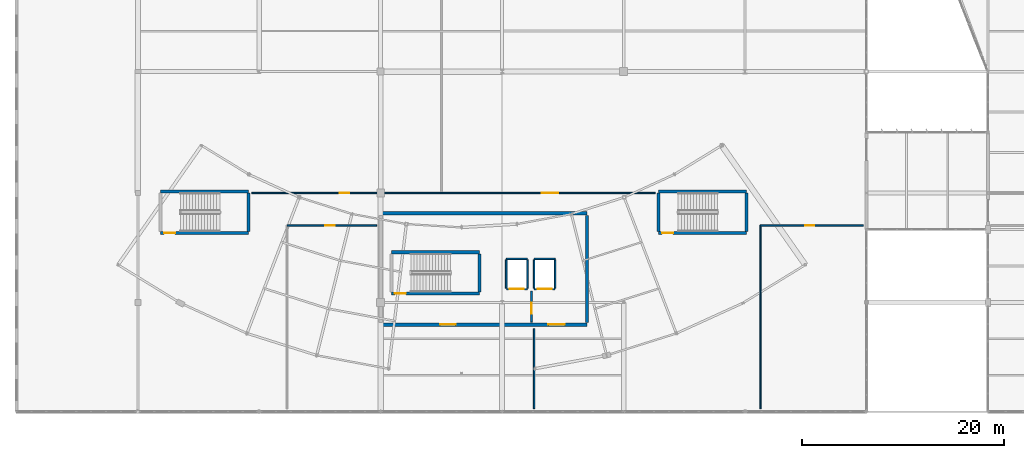
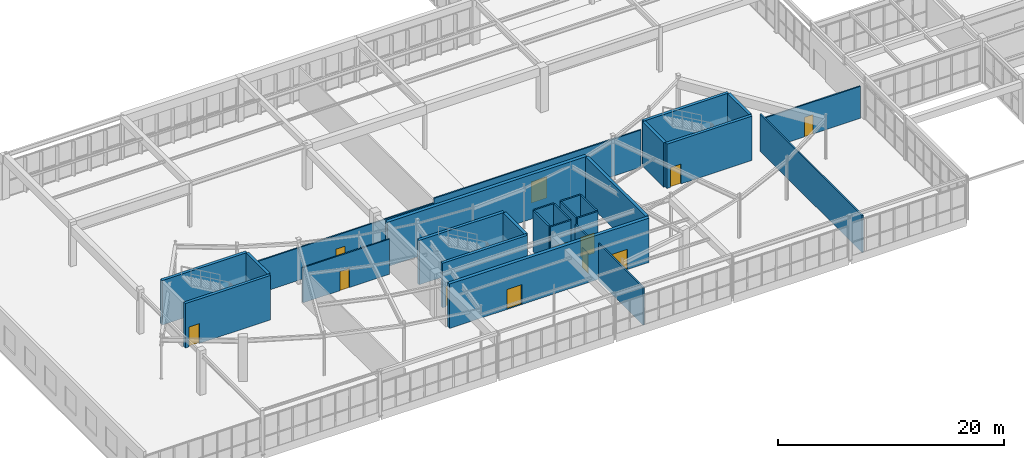
# One storey, part 156 of 186: 28 walls, 12 doors, 12 openings.
"""IFC4 building model written with IfcOpenShell, lengths in metres."""

from ifc_helpers import new_model, si_unit, direction, frame, frame_2d, origin, place, context, subcontext, project, spatial, rectangle, extrude, material, layer, layer_set, type_object, element, fill, save


model = new_model("IFC4")

# Units and contexts
model_context = context("Model", 3, precision=1e-05, world=origin(), true_north=direction((0.0, 1.0)))
body_context = subcontext(model_context, "Body", "Model", "MODEL_VIEW")
ifc_project = project(units=[si_unit("LENGTHUNIT", "METRE"), si_unit("AREAUNIT", "SQUARE_METRE"), si_unit("VOLUMEUNIT", "CUBIC_METRE"), si_unit("PLANEANGLEUNIT", "RADIAN"), si_unit("MASSUNIT", "GRAM", prefix="KILO")], contexts=[model_context])

# Site, building, storey
site_placement = place(None, origin())
site = spatial("IfcSite", under=ifc_project, at=site_placement, CompositionType="ELEMENT")
building_placement = place(site_placement, origin())
building = spatial("IfcBuilding", under=site, at=building_placement, Name="Tarnwether General Hospital", CompositionType="ELEMENT")
storey_placement = place(building_placement, frame((0.0, 0.0, 9.60009765625)))
storey = spatial("IfcBuildingStorey", under=building, at=storey_placement, Name="L02", CompositionType="ELEMENT", Elevation=9.60009765625)

# Wall, opening, door
ifc_material_1 = material(Name="Gypsum plasterboard")
ifc_layer_1 = layer(ifc_material_1, 0.139892578125)
ifc_layer_set_1 = layer_set([ifc_layer_1], Name="Gypsum plasterboard")
wall_type_1 = type_object("IfcWallType", Name="WL-PT140", PredefinedType="PARTITIONING", material=ifc_layer_set_1)
wall_1_placement = place(storey_placement, frame((74.743896484375, 18.39990234375, 0.0), z_axis=(0.0, 0.0, 1.0), x_axis=(1.0, 0.0, 0.0)))
wall_1 = element("IfcWall", 1, at=wall_1_placement, inside=storey, type_object=wall_type_1, Name="Interior Partition PT-L02-0271", PredefinedType="PARTITIONING", context=body_context, shape_type="SweptSolid", body=[
    extrude(rectangle(XDim=8.856201171875, YDim=0.139892578125, at=frame_2d((4.42822265625, 0.0))), origin(), (0.0, 0.0, 1.0), 3.802978515625),
])
opening_1_placement = place(wall_1_placement, frame((3.778076171875, 0.0, 0.0)))
opening_1 = element("IfcOpeningElement", 2, at=opening_1_placement, cuts=wall_1, Name="Opening D-10", PredefinedType="OPENING", context=body_context, shape_type="SweptSolid", body=[
    extrude(rectangle(XDim=0.9599609375, YDim=2.06005859375, at=frame_2d((0.47998046875, 1.030029296875))), frame((0.0, 0.080078125, 0.0), z_axis=(0.0, -1.0, 0.0), x_axis=(1.0, 0.0, 0.0)), (0.0, 0.0, 1.0), 0.159912109375),
])
ifc_material_2 = material(Name="Anodised aluminium", Category="aluminium")
door_type_1 = type_object("IfcDoorType", Name="DR-IN10", OperationType="NOTDEFINED", PredefinedType="DOOR", material=ifc_material_2)
door_1_placement = place(opening_1_placement, origin())
door_1 = element("IfcDoor", 3, at=door_1_placement, inside=storey, type_object=door_type_1, Name="Interior Door DR-L02-0150", OperationType="SINGLE_SWING_RIGHT", OverallHeight=2.06005859375, OverallWidth=0.9599609375, PredefinedType="DOOR", context=body_context, shape_type="SweptSolid", body=[
    extrude(rectangle(XDim=0.9599609375, YDim=2.06005859375, at=frame_2d((0.47998046875, 1.030029296875))), frame((0.0, 0.02490234375, 0.0), z_axis=(0.0, -1.0, 0.0), x_axis=(1.0, 0.0, 0.0)), (0.0, 0.0, 1.0), 0.050048828125),
])
fill(opening_1, door_1)

# Walls
wall_2_placement = place(storey_placement, frame((99.154052734375, 0.300048828125, 0.0), z_axis=(0.0, 0.0, 1.0), x_axis=(0.0, 1.0, 0.0)))
element("IfcWall", 4, at=wall_2_placement, inside=storey, type_object=wall_type_1, Name="Interior Partition PT-L02-0272", PredefinedType="PARTITIONING", context=body_context, shape_type="SweptSolid", body=[
    extrude(rectangle(XDim=7.89990234375, YDim=0.139892578125, at=frame_2d((3.949951171875, 0.0))), origin(), (0.0, 0.0, 1.0), 4.06494140625),
])
wall_3_placement = place(storey_placement, frame((121.529052734375, 0.300048828125, 0.0), z_axis=(0.0, 0.0, 1.0), x_axis=(0.0, 1.0, 0.0)))
element("IfcWall", 5, at=wall_3_placement, inside=storey, type_object=wall_type_1, Name="Interior Partition PT-L02-0273", PredefinedType="PARTITIONING", context=body_context, shape_type="SweptSolid", body=[
    extrude(rectangle(XDim=18.099853515625, YDim=0.139892578125, at=frame_2d((9.0498046875, 0.0))), origin(), (0.0, 0.0, 1.0), 4.011962890625),
])

# Wall, opening, door
wall_4_placement = place(storey_placement, frame((121.529052734375, 18.39990234375, 0.0), z_axis=(0.0, 0.0, 1.0), x_axis=(1.0, 0.0, 0.0)))
wall_4 = element("IfcWall", 6, at=wall_4_placement, inside=storey, type_object=wall_type_1, Name="Interior Partition PT-L02-0274", PredefinedType="PARTITIONING", context=body_context, shape_type="SweptSolid", body=[
    extrude(rectangle(XDim=10.1708984375, YDim=0.139892578125, at=frame_2d((5.08544921875, 0.0))), origin(), (0.0, 0.0, 1.0), 3.46484375),
])
opening_2_placement = place(wall_4_placement, frame((4.43505859375, 0.0, 0.0)))
opening_2 = element("IfcOpeningElement", 7, at=opening_2_placement, cuts=wall_4, Name="Opening D-11", PredefinedType="OPENING", context=body_context, shape_type="SweptSolid", body=[
    extrude(rectangle(XDim=0.89990234375, YDim=2.10009765625, at=frame_2d((0.449951171875, 1.050048828125))), frame((0.0, 0.080078125, 0.0), z_axis=(0.0, -1.0, 0.0), x_axis=(1.0, 0.0, 0.0)), (0.0, 0.0, 1.0), 0.159912109375),
])
ifc_material_3 = material(Name="Anodised aluminium", Category="aluminium")
door_type_2 = type_object("IfcDoorType", Name="DR-IN11", OperationType="NOTDEFINED", PredefinedType="DOOR", material=ifc_material_3)
door_2_placement = place(opening_2_placement, origin())
door_2 = element("IfcDoor", 8, at=door_2_placement, inside=storey, type_object=door_type_2, Name="Interior Door DR-L02-0151", OperationType="SINGLE_SWING_LEFT", OverallHeight=2.10009765625, OverallWidth=0.89990234375, PredefinedType="DOOR", context=body_context, shape_type="SweptSolid", body=[
    extrude(rectangle(XDim=0.89990234375, YDim=2.10009765625, at=frame_2d((0.449951171875, 1.050048828125))), frame((0.0, 0.02490234375, 0.0), z_axis=(0.0, -1.0, 0.0), x_axis=(1.0, 0.0, 0.0)), (0.0, 0.0, 1.0), 0.050048828125),
])
fill(opening_2, door_2)

wall_5_placement = place(storey_placement, frame((71.25, 21.60009765625, 0.0), z_axis=(0.0, 0.0, 1.0), x_axis=(1.0, 0.0, 0.0)))
wall_5 = element("IfcWall", 9, at=wall_5_placement, inside=storey, type_object=wall_type_1, Name="Interior Partition PT-L02-0275", PredefinedType="PARTITIONING", context=body_context, shape_type="SweptSolid", body=[
    extrude(rectangle(XDim=18.75, YDim=0.139892578125, at=frame_2d((9.375, 0.0))), origin(), (0.0, 0.0, 1.0), 3.514892578125),
])
opening_3_placement = place(wall_5_placement, frame((8.72509765625, 0.0, 0.0)))
opening_3 = element("IfcOpeningElement", 10, at=opening_3_placement, cuts=wall_5, Name="Opening D-12", PredefinedType="OPENING", context=body_context, shape_type="SweptSolid", body=[
    extrude(rectangle(XDim=0.919921875, YDim=2.0400390625, at=frame_2d((0.4599609375, 1.02001953125))), frame((0.0, 0.080078125, 0.0), z_axis=(0.0, -1.0, 0.0), x_axis=(1.0, 0.0, 0.0)), (0.0, 0.0, 1.0), 0.159912109375),
])
ifc_material_4 = material(Name="Anodised aluminium", Category="aluminium")
door_type_3 = type_object("IfcDoorType", Name="DR-IN12", OperationType="NOTDEFINED", PredefinedType="DOOR", material=ifc_material_4)
door_3_placement = place(opening_3_placement, origin())
door_3 = element("IfcDoor", 11, at=door_3_placement, inside=storey, type_object=door_type_3, Name="Interior Door DR-L02-0152", OperationType="SINGLE_SWING_RIGHT", OverallHeight=2.0400390625, OverallWidth=0.919921875, PredefinedType="DOOR", context=body_context, shape_type="SweptSolid", body=[
    extrude(rectangle(XDim=0.919921875, YDim=2.0400390625, at=frame_2d((0.4599609375, 1.02001953125))), frame((0.0, 0.02490234375, 0.0), z_axis=(0.0, -1.0, 0.0), x_axis=(1.0, 0.0, 0.0)), (0.0, 0.0, 1.0), 0.050048828125),
])
fill(opening_3, door_3)

wall_6_placement = place(storey_placement, frame((90.0, 21.60009765625, 0.0), z_axis=(0.0, 0.0, 1.0), x_axis=(1.0, 0.0, 0.0)))
wall_6 = element("IfcWall", 12, at=wall_6_placement, inside=storey, type_object=wall_type_1, Name="Interior Partition PT-L02-0277", PredefinedType="PARTITIONING", context=body_context, shape_type="SweptSolid", body=[
    extrude(rectangle(XDim=21.14990234375, YDim=0.139892578125, at=frame_2d((10.574951171875, 0.0))), origin(), (0.0, 0.0, 1.0), 4.011962890625),
])
opening_4_placement = place(wall_6_placement, frame((9.925048828125, 0.0, 0.0)))
opening_4 = element("IfcOpeningElement", 13, at=opening_4_placement, cuts=wall_6, Name="Opening SD-02", PredefinedType="OPENING", context=body_context, shape_type="SweptSolid", body=[
    extrude(rectangle(XDim=1.6201171875, YDim=2.300048828125, at=frame_2d((0.81005859375, 1.14990234375))), frame((0.0, 0.080078125, 0.0), z_axis=(0.0, -1.0, 0.0), x_axis=(1.0, 0.0, 0.0)), (0.0, 0.0, 1.0), 0.159912109375),
])
ifc_material_5 = material(Name="Anodised aluminium", Category="aluminium")
door_type_4 = type_object("IfcDoorType", Name="DR-OR02", OperationType="NOTDEFINED", PredefinedType="DOOR", material=ifc_material_5)
door_4_placement = place(opening_4_placement, origin())
door_4 = element("IfcDoor", 14, at=door_4_placement, inside=storey, type_object=door_type_4, Name="Interior Door DR-L02-0153", OperationType="SLIDING_TO_RIGHT", OverallHeight=2.300048828125, OverallWidth=1.6201171875, PredefinedType="DOOR", context=body_context, shape_type="SweptSolid", body=[
    extrude(rectangle(XDim=1.6201171875, YDim=2.300048828125, at=frame_2d((0.81005859375, 1.14990234375))), frame((0.0, 0.02490234375, 0.0), z_axis=(0.0, -1.0, 0.0), x_axis=(1.0, 0.0, 0.0)), (0.0, 0.0, 1.0), 0.050048828125),
])
fill(opening_4, door_4)

ifc_material_6 = material(Name="Gypsum plasterboard")
ifc_layer_2 = layer(ifc_material_6, 0.159912109375)
ifc_layer_set_2 = layer_set([ifc_layer_2], Name="Gypsum plasterboard")
wall_type_2 = type_object("IfcWallType", Name="WL-PT160", PredefinedType="PARTITIONING", material=ifc_layer_set_2)
wall_7_placement = place(storey_placement, frame((96.409912109375, 12.110107421875, 0.0), z_axis=(0.0, 0.0, 1.0), x_axis=(1.0, 0.0, 0.0)))
wall_7 = element("IfcWall", 15, at=wall_7_placement, inside=storey, type_object=wall_type_2, Name="Lift L-02 Shaft Wall LSH-L-02-L02-S", PredefinedType="PARTITIONING", context=body_context, shape_type="SweptSolid", body=[
    extrude(rectangle(XDim=2.080078125, YDim=0.159912109375, at=frame_2d((1.0400390625, 0.0))), origin(), (0.0, 0.0, 1.0), 4.429931640625),
])
opening_5_placement = place(wall_7_placement, frame((0.340087890625, 0.0, 0.0)))
opening_5 = element("IfcOpeningElement", 16, at=opening_5_placement, cuts=wall_7, Name="Opening LD-01", PredefinedType="OPENING", context=body_context, shape_type="SweptSolid", body=[
    extrude(rectangle(XDim=1.39990234375, YDim=2.199951171875, at=frame_2d((0.699951171875, 1.10009765625))), frame((0.0, 0.08984375, 0.0), z_axis=(0.0, -1.0, 0.0), x_axis=(1.0, 0.0, 0.0)), (0.0, 0.0, 1.0), 0.179931640625),
])
ifc_material_7 = material(Name="Anodised aluminium", Category="aluminium")
door_type_5 = type_object("IfcDoorType", Name="DR-LD01", OperationType="NOTDEFINED", PredefinedType="DOOR", material=ifc_material_7)
door_5_placement = place(opening_5_placement, origin())
door_5 = element("IfcDoor", 17, at=door_5_placement, inside=storey, type_object=door_type_5, Name="Lift L-02 Sliding Landing Door L02", OperationType="SLIDING_TO_RIGHT", OverallHeight=2.199951171875, OverallWidth=1.39990234375, PredefinedType="DOOR", context=body_context, shape_type="SweptSolid", body=[
    extrude(rectangle(XDim=1.39990234375, YDim=2.199951171875, at=frame_2d((0.699951171875, 1.10009765625))), frame((0.0, 0.02490234375, 0.0), z_axis=(0.0, -1.0, 0.0), x_axis=(1.0, 0.0, 0.0)), (0.0, 0.0, 1.0), 0.050048828125),
])
fill(opening_5, door_5)

# Walls
wall_8_placement = place(storey_placement, frame((98.489990234375, 15.090087890625, 0.0), z_axis=(0.0, 0.0, 1.0), x_axis=(-1.0, 0.0, 0.0)))
element("IfcWall", 18, at=wall_8_placement, inside=storey, type_object=wall_type_2, Name="Lift L-02 Shaft Wall LSH-L-02-L02-N", PredefinedType="PARTITIONING", context=body_context, shape_type="SweptSolid", body=[
    extrude(rectangle(XDim=2.080078125, YDim=0.159912109375, at=frame_2d((1.0400390625, 0.0))), origin(), (0.0, 0.0, 1.0), 4.429931640625),
])
for number, where, z_axis, x_axis, name in (
    (19, (96.409912109375, 14.989990234375, 0.0), (0.0, 0.0, 1.0), (0.0, -1.0, 0.0), "Lift L-02 Shaft Wall LSH-L-02-L02-W"),
    (20, (98.489990234375, 12.2099609375, 0.0), (0.0, 0.0, 1.0), (0.0, 1.0, 0.0), "Lift L-02 Shaft Wall LSH-L-02-L02-E"),
):
    element("IfcWall", number, at=place(storey_placement, frame(where, z_axis=z_axis, x_axis=x_axis)), inside=storey, type_object=wall_type_2, Name=name, PredefinedType="PARTITIONING", context=body_context, shape_type="SweptSolid", body=[
        extrude(rectangle(XDim=2.780029296875, YDim=0.159912109375, at=frame_2d((1.39013671875, 0.0))), origin(), (0.0, 0.0, 1.0), 4.429931640625),
    ])

# Wall, opening, door
wall_9_placement = place(storey_placement, frame((99.159912109375, 12.110107421875, 0.0), z_axis=(0.0, 0.0, 1.0), x_axis=(1.0, 0.0, 0.0)))
wall_9 = element("IfcWall", 21, at=wall_9_placement, inside=storey, type_object=wall_type_2, Name="Lift L-04 Shaft Wall LSH-L-04-L02-S", PredefinedType="PARTITIONING", context=body_context, shape_type="SweptSolid", body=[
    extrude(rectangle(XDim=2.080078125, YDim=0.159912109375, at=frame_2d((1.0400390625, 0.0))), origin(), (0.0, 0.0, 1.0), 4.429931640625),
])
opening_6_placement = place(wall_9_placement, frame((0.340087890625, 0.0, 0.0)))
opening_6 = element("IfcOpeningElement", 22, at=opening_6_placement, cuts=wall_9, Name="Opening LD-01", PredefinedType="OPENING", context=body_context, shape_type="SweptSolid", body=[
    extrude(rectangle(XDim=1.39990234375, YDim=2.199951171875, at=frame_2d((0.699951171875, 1.10009765625))), frame((0.0, 0.08984375, 0.0), z_axis=(0.0, -1.0, 0.0), x_axis=(1.0, 0.0, 0.0)), (0.0, 0.0, 1.0), 0.179931640625),
])
door_6_placement = place(opening_6_placement, origin())
door_6 = element("IfcDoor", 23, at=door_6_placement, inside=storey, type_object=door_type_5, Name="Lift L-04 Sliding Landing Door L02", OperationType="SLIDING_TO_RIGHT", OverallHeight=2.199951171875, OverallWidth=1.39990234375, PredefinedType="DOOR", context=body_context, shape_type="SweptSolid", body=[
    extrude(rectangle(XDim=1.39990234375, YDim=2.199951171875, at=frame_2d((0.699951171875, 1.10009765625))), frame((0.0, 0.02490234375, 0.0), z_axis=(0.0, -1.0, 0.0), x_axis=(1.0, 0.0, 0.0)), (0.0, 0.0, 1.0), 0.050048828125),
])
fill(opening_6, door_6)

# Walls
wall_10_placement = place(storey_placement, frame((101.239990234375, 15.090087890625, 0.0), z_axis=(0.0, 0.0, 1.0), x_axis=(-1.0, 0.0, 0.0)))
element("IfcWall", 24, at=wall_10_placement, inside=storey, type_object=wall_type_2, Name="Lift L-04 Shaft Wall LSH-L-04-L02-N", PredefinedType="PARTITIONING", context=body_context, shape_type="SweptSolid", body=[
    extrude(rectangle(XDim=2.080078125, YDim=0.159912109375, at=frame_2d((1.0400390625, 0.0))), origin(), (0.0, 0.0, 1.0), 4.429931640625),
])
for number, where, z_axis, x_axis, name in (
    (25, (99.159912109375, 14.989990234375, 0.0), (0.0, 0.0, 1.0), (0.0, -1.0, 0.0), "Lift L-04 Shaft Wall LSH-L-04-L02-W"),
    (26, (101.239990234375, 12.2099609375, 0.0), (0.0, 0.0, 1.0), (0.0, 1.0, 0.0), "Lift L-04 Shaft Wall LSH-L-04-L02-E"),
):
    element("IfcWall", number, at=place(storey_placement, frame(where, z_axis=z_axis, x_axis=x_axis)), inside=storey, type_object=wall_type_2, Name=name, PredefinedType="PARTITIONING", context=body_context, shape_type="SweptSolid", body=[
        extrude(rectangle(XDim=2.780029296875, YDim=0.159912109375, at=frame_2d((1.39013671875, 0.0))), origin(), (0.0, 0.0, 1.0), 4.429931640625),
    ])

# Wall, opening, door
wall_11_placement = place(storey_placement, frame((98.89990234375, 8.85009765625, 0.0), z_axis=(0.0, 0.0, 1.0), x_axis=(0.0, 1.0, 0.0)))
wall_11 = element("IfcWall", 27, at=wall_11_placement, inside=storey, type_object=wall_type_2, Name="Firefighting Lobby Divider K2 L02", PredefinedType="PARTITIONING", context=body_context, shape_type="SweptSolid", body=[
    extrude(rectangle(XDim=3.0498046875, YDim=0.159912109375, at=frame_2d((1.52490234375, 0.0))), origin(), (0.0, 0.0, 1.0), 3.9609375),
])
opening_7_placement = place(wall_11_placement, frame((0.800048828125, 0.0, 0.0)))
opening_7 = element("IfcOpeningElement", 28, at=opening_7_placement, cuts=wall_11, Name="Opening FD-06", PredefinedType="OPENING", context=body_context, shape_type="SweptSolid", body=[
    extrude(rectangle(XDim=1.10009765625, YDim=2.14990234375, at=frame_2d((0.550048828125, 1.074951171875))), frame((0.0, 0.08984375, 0.0), z_axis=(0.0, -1.0, 0.0), x_axis=(1.0, 0.0, 0.0)), (0.0, 0.0, 1.0), 0.179931640625),
])
ifc_material_8 = material(Name="Anodised aluminium", Category="aluminium")
door_type_6 = type_object("IfcDoorType", Name="DR-FD06", OperationType="NOTDEFINED", PredefinedType="DOOR", material=ifc_material_8)
door_7_placement = place(opening_7_placement, origin())
door_7 = element("IfcDoor", 29, at=door_7_placement, inside=storey, type_object=door_type_6, Name="Core K2 Inter-Lobby Smoke Door L02", OperationType="SINGLE_SWING_RIGHT", OverallHeight=2.14990234375, OverallWidth=1.10009765625, PredefinedType="DOOR", context=body_context, shape_type="SweptSolid", body=[
    extrude(rectangle(XDim=1.10009765625, YDim=2.14990234375, at=frame_2d((0.550048828125, 1.074951171875))), frame((0.0, 0.02490234375, 0.0), z_axis=(0.0, -1.0, 0.0), x_axis=(1.0, 0.0, 0.0)), (0.0, 0.0, 1.0), 0.050048828125),
])
fill(opening_7, door_7)

# Wall
ifc_material_9 = material(Name="Concrete 50 MPa", Category="concrete")
ifc_layer_3 = layer(ifc_material_9, 0.300048828125)
ifc_layer_set_3 = layer_set([ifc_layer_3], Name="Concrete 50 MPa")
wall_type_3 = type_object("IfcWallType", Name="WL-SW300", PredefinedType="SHEAR", material=ifc_layer_set_3)
wall_12_placement = place(storey_placement, frame((104.39990234375, 19.39990234375, 0.0), z_axis=(0.0, 0.0, 1.0), x_axis=(0.0, -1.0, 0.0)))
element("IfcWall", 30, at=wall_12_placement, inside=storey, type_object=wall_type_3, Name="Core Shear Wall CWALL-K2-L02-E", PredefinedType="SHEAR", context=body_context, shape_type="SweptSolid", body=[
    extrude(rectangle(XDim=10.599853515625, YDim=0.300048828125, at=frame_2d((5.2998046875, 0.0))), origin(), (0.0, 0.0, 1.0), 4.7998046875),
])

# Wall, opening, door
wall_13_placement = place(storey_placement, frame((85.050048828125, 11.64990234375, 0.0), z_axis=(0.0, 0.0, 1.0), x_axis=(1.0, 0.0, 0.0)))
wall_13 = element("IfcWall", 31, at=wall_13_placement, inside=storey, type_object=wall_type_3, Name="Stairwell Shear Wall STW-ST-02-L02-B", PredefinedType="SHEAR", context=body_context, shape_type="SweptSolid", body=[
    extrude(rectangle(XDim=8.699951171875, YDim=0.300048828125, at=frame_2d((4.35009765625, 0.0))), origin(), (0.0, 0.0, 1.0), 4.7998046875),
])
opening_8_placement = place(wall_13_placement, frame((0.35009765625, 0.0, 0.0)))
opening_8 = element("IfcOpeningElement", 32, at=opening_8_placement, cuts=wall_13, Name="Opening FD-06", PredefinedType="OPENING", context=body_context, shape_type="SweptSolid", body=[
    extrude(rectangle(XDim=1.10009765625, YDim=2.14990234375, at=frame_2d((0.550048828125, 1.074951171875))), frame((0.0, 0.16015625, 0.0), z_axis=(0.0, -1.0, 0.0), x_axis=(1.0, 0.0, 0.0)), (0.0, 0.0, 1.0), 0.320068359375),
])
door_8_placement = place(opening_8_placement, origin())
door_8 = element("IfcDoor", 33, at=door_8_placement, inside=storey, type_object=door_type_6, Name="Stairwell ST-02 Safe-Path Fire Door L02", OperationType="SINGLE_SWING_RIGHT", OverallHeight=2.14990234375, OverallWidth=1.10009765625, PredefinedType="DOOR", context=body_context, shape_type="SweptSolid", body=[
    extrude(rectangle(XDim=1.10009765625, YDim=2.14990234375, at=frame_2d((0.550048828125, 1.074951171875))), frame((0.0, 0.02490234375, 0.0), z_axis=(0.0, -1.0, 0.0), x_axis=(1.0, 0.0, 0.0)), (0.0, 0.0, 1.0), 0.050048828125),
])
fill(opening_8, door_8)

# Walls
wall_14_placement = place(storey_placement, frame((93.75, 15.75, 0.0), z_axis=(0.0, 0.0, 1.0), x_axis=(-1.0, 0.0, 0.0)))
element("IfcWall", 34, at=wall_14_placement, inside=storey, type_object=wall_type_3, Name="Stairwell Shear Wall STW-ST-02-L02-N", PredefinedType="SHEAR", context=body_context, shape_type="SweptSolid", body=[
    extrude(rectangle(XDim=8.699951171875, YDim=0.300048828125, at=frame_2d((4.35009765625, 0.0))), origin(), (0.0, 0.0, 1.0), 4.7998046875),
])
wall_15_placement = place(storey_placement, frame((93.75, 11.820068359375, 0.0), z_axis=(0.0, 0.0, 1.0), x_axis=(0.0, 1.0, 0.0)))
element("IfcWall", 35, at=wall_15_placement, inside=storey, type_object=wall_type_3, Name="Stairwell Shear Wall STW-ST-02-L02-F", PredefinedType="SHEAR", context=body_context, shape_type="SweptSolid", body=[
    extrude(rectangle(XDim=3.760009765625, YDim=0.300048828125, at=frame_2d((1.8798828125, 0.0))), origin(), (0.0, 0.0, 1.0), 4.7998046875),
])

# Wall, opening, door
wall_16_placement = place(storey_placement, frame((62.25, 17.64990234375, 0.0), z_axis=(0.0, 0.0, 1.0), x_axis=(1.0, 0.0, 0.0)))
wall_16 = element("IfcWall", 36, at=wall_16_placement, inside=storey, type_object=wall_type_3, Name="Stairwell Shear Wall STW-ST-09-L02-B", PredefinedType="SHEAR", context=body_context, shape_type="SweptSolid", body=[
    extrude(rectangle(XDim=8.699951171875, YDim=0.300048828125, at=frame_2d((4.35009765625, 0.0))), origin(), (0.0, 0.0, 1.0), 4.7998046875),
])
opening_9_placement = place(wall_16_placement, frame((0.35009765625, 0.0, 0.0)))
opening_9 = element("IfcOpeningElement", 37, at=opening_9_placement, cuts=wall_16, Name="Opening FD-06", PredefinedType="OPENING", context=body_context, shape_type="SweptSolid", body=[
    extrude(rectangle(XDim=1.10009765625, YDim=2.14990234375, at=frame_2d((0.550048828125, 1.074951171875))), frame((0.0, 0.16015625, 0.0), z_axis=(0.0, -1.0, 0.0), x_axis=(1.0, 0.0, 0.0)), (0.0, 0.0, 1.0), 0.320068359375),
])
door_9_placement = place(opening_9_placement, origin())
door_9 = element("IfcDoor", 38, at=door_9_placement, inside=storey, type_object=door_type_6, Name="Stairwell ST-09 Safe-Path Fire Door L02", OperationType="SINGLE_SWING_LEFT", OverallHeight=2.14990234375, OverallWidth=1.10009765625, PredefinedType="DOOR", context=body_context, shape_type="SweptSolid", body=[
    extrude(rectangle(XDim=1.10009765625, YDim=2.14990234375, at=frame_2d((0.550048828125, 1.074951171875))), frame((0.0, 0.02490234375, 0.0), z_axis=(0.0, -1.0, 0.0), x_axis=(1.0, 0.0, 0.0)), (0.0, 0.0, 1.0), 0.050048828125),
])
fill(opening_9, door_9)

# Walls
wall_17_placement = place(storey_placement, frame((70.949951171875, 21.75, 0.0), z_axis=(0.0, 0.0, 1.0), x_axis=(-1.0, 0.0, 0.0)))
element("IfcWall", 39, at=wall_17_placement, inside=storey, type_object=wall_type_3, Name="Stairwell Shear Wall STW-ST-09-L02-N", PredefinedType="SHEAR", context=body_context, shape_type="SweptSolid", body=[
    extrude(rectangle(XDim=8.699951171875, YDim=0.300048828125, at=frame_2d((4.35009765625, 0.0))), origin(), (0.0, 0.0, 1.0), 4.7998046875),
])
wall_18_placement = place(storey_placement, frame((70.949951171875, 17.820068359375, 0.0), z_axis=(0.0, 0.0, 1.0), x_axis=(0.0, 1.0, 0.0)))
element("IfcWall", 40, at=wall_18_placement, inside=storey, type_object=wall_type_3, Name="Stairwell Shear Wall STW-ST-09-L02-F", PredefinedType="SHEAR", context=body_context, shape_type="SweptSolid", body=[
    extrude(rectangle(XDim=3.760009765625, YDim=0.300048828125, at=frame_2d((1.8798828125, 0.0))), origin(), (0.0, 0.0, 1.0), 4.7998046875),
])

# Wall, opening, door
wall_19_placement = place(storey_placement, frame((111.449951171875, 17.64990234375, 0.0), z_axis=(0.0, 0.0, 1.0), x_axis=(1.0, 0.0, 0.0)))
wall_19 = element("IfcWall", 41, at=wall_19_placement, inside=storey, type_object=wall_type_3, Name="Stairwell Shear Wall STW-ST-10-L02-B", PredefinedType="SHEAR", context=body_context, shape_type="SweptSolid", body=[
    extrude(rectangle(XDim=8.699951171875, YDim=0.300048828125, at=frame_2d((4.35009765625, 0.0))), origin(), (0.0, 0.0, 1.0), 4.7998046875),
])
opening_10_placement = place(wall_19_placement, frame((0.35009765625, 0.0, 0.0)))
opening_10 = element("IfcOpeningElement", 42, at=opening_10_placement, cuts=wall_19, Name="Opening FD-06", PredefinedType="OPENING", context=body_context, shape_type="SweptSolid", body=[
    extrude(rectangle(XDim=1.10009765625, YDim=2.14990234375, at=frame_2d((0.550048828125, 1.074951171875))), frame((0.0, 0.16015625, 0.0), z_axis=(0.0, -1.0, 0.0), x_axis=(1.0, 0.0, 0.0)), (0.0, 0.0, 1.0), 0.320068359375),
])
door_10_placement = place(opening_10_placement, origin())
door_10 = element("IfcDoor", 43, at=door_10_placement, inside=storey, type_object=door_type_6, Name="Stairwell ST-10 Safe-Path Fire Door L02", OperationType="SINGLE_SWING_LEFT", OverallHeight=2.14990234375, OverallWidth=1.10009765625, PredefinedType="DOOR", context=body_context, shape_type="SweptSolid", body=[
    extrude(rectangle(XDim=1.10009765625, YDim=2.14990234375, at=frame_2d((0.550048828125, 1.074951171875))), frame((0.0, 0.02490234375, 0.0), z_axis=(0.0, -1.0, 0.0), x_axis=(1.0, 0.0, 0.0)), (0.0, 0.0, 1.0), 0.050048828125),
])
fill(opening_10, door_10)

# Walls
wall_20_placement = place(storey_placement, frame((120.14990234375, 21.75, 0.0), z_axis=(0.0, 0.0, 1.0), x_axis=(-1.0, 0.0, 0.0)))
element("IfcWall", 44, at=wall_20_placement, inside=storey, type_object=wall_type_3, Name="Stairwell Shear Wall STW-ST-10-L02-N", PredefinedType="SHEAR", context=body_context, shape_type="SweptSolid", body=[
    extrude(rectangle(XDim=8.699951171875, YDim=0.300048828125, at=frame_2d((4.35009765625, 0.0))), origin(), (0.0, 0.0, 1.0), 4.7998046875),
])
for number, where, z_axis, x_axis, name in (
    (45, (111.449951171875, 17.820068359375, 0.0), (0.0, 0.0, 1.0), (0.0, 1.0, 0.0), "Stairwell Shear Wall STW-ST-10-L02-L"),
    (46, (120.14990234375, 17.820068359375, 0.0), (0.0, 0.0, 1.0), (0.0, 1.0, 0.0), "Stairwell Shear Wall STW-ST-10-L02-F"),
):
    element("IfcWall", number, at=place(storey_placement, frame(where, z_axis=z_axis, x_axis=x_axis)), inside=storey, type_object=wall_type_3, Name=name, PredefinedType="SHEAR", context=body_context, shape_type="SweptSolid", body=[
        extrude(rectangle(XDim=3.760009765625, YDim=0.300048828125, at=frame_2d((1.8798828125, 0.0))), origin(), (0.0, 0.0, 1.0), 4.7998046875),
    ])
ifc_material_10 = material(Name="Concrete 50 MPa", Category="concrete")
ifc_layer_4 = layer(ifc_material_10, 0.35009765625)
ifc_layer_set_4 = layer_set([ifc_layer_4], Name="Concrete 50 MPa")
wall_type_4 = type_object("IfcWallType", Name="WL-SW350", PredefinedType="SHEAR", material=ifc_layer_set_4)
wall_21_placement = place(storey_placement, frame((84.0, 19.60009765625, 0.0), z_axis=(0.0, 0.0, 1.0), x_axis=(1.0, 0.0, 0.0)))
element("IfcWall", 47, at=wall_21_placement, inside=storey, type_object=wall_type_4, Name="Core Shear Wall CWALL-K2-L02-N", PredefinedType="SHEAR", context=body_context, shape_type="SweptSolid", body=[
    extrude(rectangle(XDim=20.39990234375, YDim=0.35009765625, at=frame_2d((10.199951171875, 0.0))), origin(), (0.0, 0.0, 1.0), 4.7998046875),
])

# Wall, openings, doors
wall_22_placement = place(storey_placement, frame((104.39990234375, 8.60009765625, 0.0), z_axis=(0.0, 0.0, 1.0), x_axis=(-1.0, 0.0, 0.0)))
wall_22 = element("IfcWall", 48, at=wall_22_placement, inside=storey, type_object=wall_type_4, Name="Core Shear Wall CWALL-K2-L02-S", PredefinedType="SHEAR", context=body_context, shape_type="SweptSolid", body=[
    extrude(rectangle(XDim=20.39990234375, YDim=0.35009765625, at=frame_2d((10.199951171875, 0.0))), origin(), (0.0, 0.0, 1.0), 4.7998046875),
])
opening_11_placement = place(wall_22_placement, frame((2.199951171875, 0.0, 0.0)))
opening_11 = element("IfcOpeningElement", 49, at=opening_11_placement, cuts=wall_22, Name="Opening FD-01", PredefinedType="OPENING", context=body_context, shape_type="SweptSolid", body=[
    extrude(rectangle(XDim=1.639892578125, YDim=2.199951171875, at=frame_2d((0.81982421875, 1.10009765625))), frame((0.0, 0.18505859375, 0.0), z_axis=(0.0, -1.0, 0.0), x_axis=(1.0, 0.0, 0.0)), (0.0, 0.0, 1.0), 0.3701171875),
])
opening_12_placement = place(wall_22_placement, frame((13.0, 0.0, 0.0)))
opening_12 = element("IfcOpeningElement", 50, at=opening_12_placement, cuts=wall_22, Name="Opening FD-02", PredefinedType="OPENING", context=body_context, shape_type="SweptSolid", body=[
    extrude(rectangle(XDim=1.52001953125, YDim=2.159912109375, at=frame_2d((0.760009765625, 1.080078125))), frame((0.0, 0.18505859375, 0.0), z_axis=(0.0, -1.0, 0.0), x_axis=(1.0, 0.0, 0.0)), (0.0, 0.0, 1.0), 0.3701171875),
])
ifc_material_11 = material(Name="Anodised aluminium", Category="aluminium")
door_type_7 = type_object("IfcDoorType", Name="DR-FD01", OperationType="NOTDEFINED", PredefinedType="DOOR", material=ifc_material_11)
door_11_placement = place(opening_11_placement, origin())
door_11 = element("IfcDoor", 51, at=door_11_placement, inside=storey, type_object=door_type_7, Name="Core K2 Lobby Fire Door L02", OperationType="DOUBLE_DOOR_SINGLE_SWING", OverallHeight=2.199951171875, OverallWidth=1.639892578125, PredefinedType="DOOR", context=body_context, shape_type="SweptSolid", body=[
    extrude(rectangle(XDim=1.639892578125, YDim=2.199951171875, at=frame_2d((0.81982421875, 1.10009765625))), frame((0.0, 0.02490234375, 0.0), z_axis=(0.0, -1.0, 0.0), x_axis=(1.0, 0.0, 0.0)), (0.0, 0.0, 1.0), 0.050048828125),
])
fill(opening_11, door_11)
ifc_material_12 = material(Name="Anodised aluminium", Category="aluminium")
door_type_8 = type_object("IfcDoorType", Name="DR-FD02", OperationType="NOTDEFINED", PredefinedType="DOOR", material=ifc_material_12)
door_12_placement = place(opening_12_placement, origin())
door_12 = element("IfcDoor", 52, at=door_12_placement, inside=storey, type_object=door_type_8, Name="Core K2 Firefighting Lobby Door L02", OperationType="SINGLE_SWING_RIGHT", OverallHeight=2.159912109375, OverallWidth=1.52001953125, PredefinedType="DOOR", context=body_context, shape_type="SweptSolid", body=[
    extrude(rectangle(XDim=1.52001953125, YDim=2.159912109375, at=frame_2d((0.760009765625, 1.080078125))), frame((0.0, 0.02490234375, 0.0), z_axis=(0.0, -1.0, 0.0), x_axis=(1.0, 0.0, 0.0)), (0.0, 0.0, 1.0), 0.050048828125),
])
fill(opening_12, door_12)

save(model, "model.ifc")
